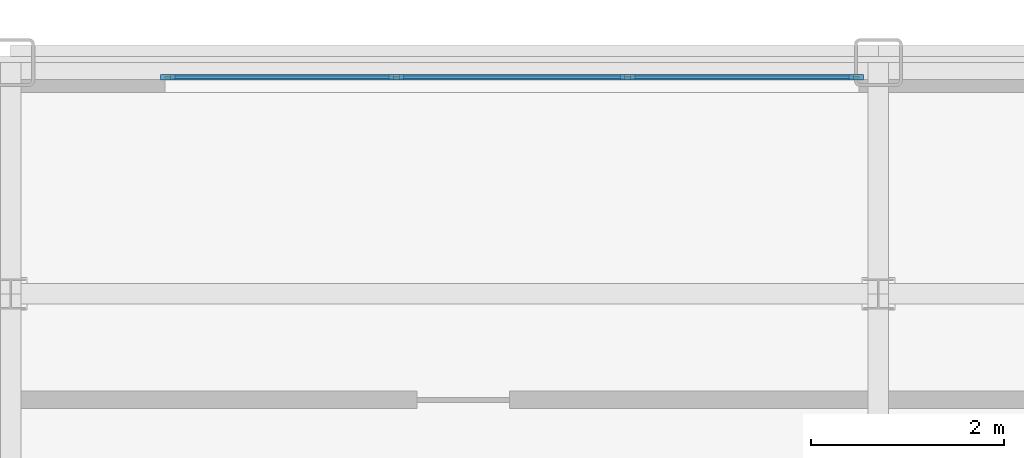
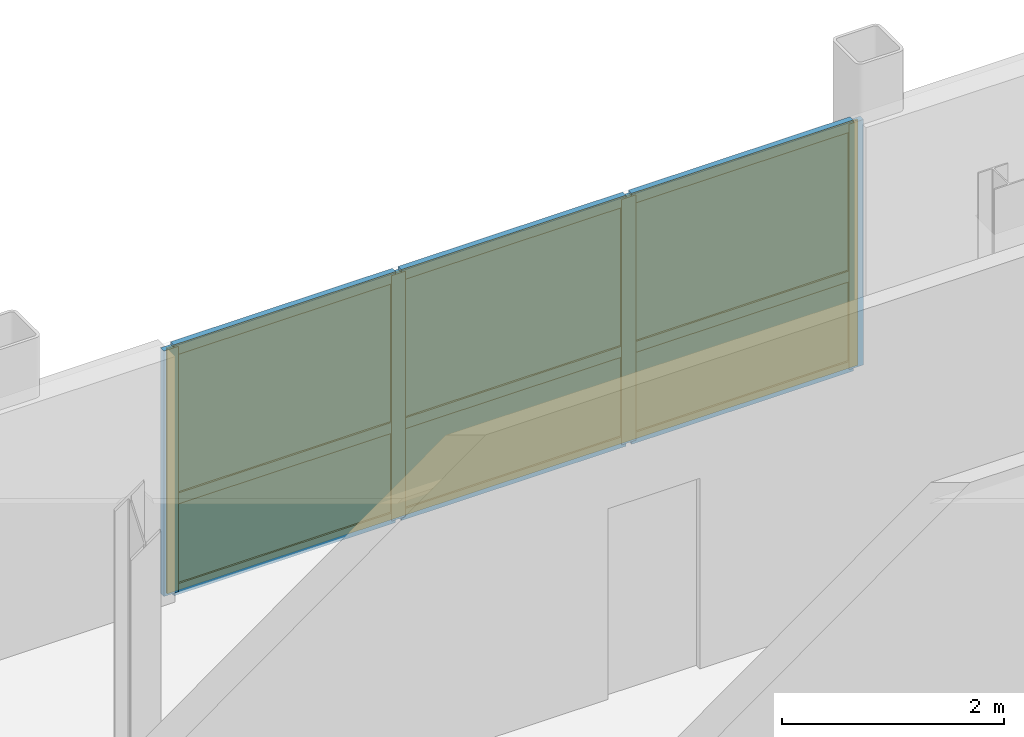
# One storey, part 11 of 16: 13 members, 6 plates, 1 curtain wall.
"""IFC4 building model written with IfcOpenShell, lengths in metres."""

from ifc_helpers import new_model, si_unit, direction, frame, frame_2d, origin, origin_2d, place, context, subcontext, project, spatial, rectangle, extrude, source, transform, mapped, material, layer, layer_set, material_profile, profile_set, type_object, type_shapes, element, aggregate, save


model = new_model("IFC4")

# Units and contexts
model_context = context("Model", 3, precision=1e-05, world=origin(), true_north=direction((0.0, 1.0)))
body_context = subcontext(model_context, "Body", "Model", "MODEL_VIEW")
ifc_project = project(units=[si_unit("LENGTHUNIT", "METRE"), si_unit("AREAUNIT", "SQUARE_METRE"), si_unit("VOLUMEUNIT", "CUBIC_METRE"), si_unit("PLANEANGLEUNIT", "RADIAN"), si_unit("MASSUNIT", "GRAM", prefix="KILO")], contexts=[model_context])

# Member
ifc_material_1 = material(Name="Anodised aluminium 6063-T6", Category="aluminium")
ifc_material_profile_1 = material_profile(ifc_material_1, rectangle(XDim=0.06005859375, YDim=0.14990234375, at=origin_2d()), Name="ALU-MULL-60x150")
ifc_profile_set_1 = profile_set([ifc_material_profile_1], Name="Anodised aluminium 6063-T6")
member_type_1 = type_object("IfcMemberType", Name="CWM-4", PredefinedType="MULLION", material=ifc_profile_set_1)
site_placement = place(None, origin())
building_placement = place(site_placement, origin())
storey_placement = place(building_placement, frame((0.0, 0.0, 209.14990234375)))
member_1_placement = place(storey_placement, frame((-7.3701171875, 19.2451171875, 0.0), z_axis=(0.0, 0.0, 1.0), x_axis=(0.0, 1.0, 0.0)))
member_1 = element("IfcMember", 1, at=member_1_placement, type_object=member_type_1, Name="CWS-4 mullion 1", PredefinedType="MULLION", context=body_context, shape_type="SweptSolid", body=[
    extrude(rectangle(XDim=0.06005859375, YDim=0.14990234375, at=origin_2d()), origin(), (0.0, 0.0, 1.0), 2.705078125),
])

member_2_placement = place(storey_placement, frame((-5.0, 19.2451171875, 0.0), z_axis=(0.0, 0.0, 1.0), x_axis=(0.0, 1.0, 0.0)))
member_2 = element("IfcMember", 2, at=member_2_placement, type_object=member_type_1, Name="CWS-4 mullion 2", PredefinedType="MULLION", context=body_context, shape_type="SweptSolid", body=[
    extrude(rectangle(XDim=0.06005859375, YDim=0.14990234375, at=origin_2d()), origin(), (0.0, 0.0, 1.0), 2.705078125),
])

member_3_placement = place(storey_placement, frame((-2.60009765625, 19.2451171875, 0.0), z_axis=(0.0, 0.0, 1.0), x_axis=(0.0, 1.0, 0.0)))
member_3 = element("IfcMember", 3, at=member_3_placement, type_object=member_type_1, Name="CWS-4 mullion 3", PredefinedType="MULLION", context=body_context, shape_type="SweptSolid", body=[
    extrude(rectangle(XDim=0.06005859375, YDim=0.14990234375, at=origin_2d()), origin(), (0.0, 0.0, 1.0), 2.705078125),
])

member_4_placement = place(storey_placement, frame((-0.22998046875, 19.2451171875, 0.0), z_axis=(0.0, 0.0, 1.0), x_axis=(0.0, 1.0, 0.0)))
member_4 = element("IfcMember", 4, at=member_4_placement, type_object=member_type_1, Name="CWS-4 mullion 4", PredefinedType="MULLION", context=body_context, shape_type="SweptSolid", body=[
    extrude(rectangle(XDim=0.06005859375, YDim=0.14990234375, at=origin_2d()), origin(), (0.0, 0.0, 1.0), 2.705078125),
])

ifc_material_profile_2 = material_profile(ifc_material_1, rectangle(XDim=0.06005859375, YDim=0.1201171875, at=origin_2d()), Name="ALU-TRAN-60x120")
ifc_profile_set_2 = profile_set([ifc_material_profile_2], Name="Anodised aluminium 6063-T6")
member_type_2 = type_object("IfcMemberType", Name="CWT-4", PredefinedType="USERDEFINED", material=ifc_profile_set_2)
member_5_placement = place(storey_placement, frame((-7.340087890625, 19.2451171875, 0.030029296875), z_axis=(1.0, 0.0, 0.0), x_axis=(0.0, 1.0, 0.0)))
member_5 = element("IfcMember", 5, at=member_5_placement, type_object=member_type_2, Name="CWS-4 transom 1.1", ObjectType="TRANSOM", PredefinedType="USERDEFINED", context=body_context, shape_type="SweptSolid", body=[
    extrude(rectangle(XDim=0.06005859375, YDim=0.1201171875, at=origin_2d()), origin(), (0.0, 0.0, 1.0), 2.31005859375),
])

member_6_placement = place(storey_placement, frame((-7.340087890625, 19.2451171875, 1.028076171875), z_axis=(1.0, 0.0, 0.0), x_axis=(0.0, 1.0, 0.0)))
member_6 = element("IfcMember", 6, at=member_6_placement, type_object=member_type_2, Name="CWS-4 transom 1.2", ObjectType="TRANSOM", PredefinedType="USERDEFINED", context=body_context, shape_type="SweptSolid", body=[
    extrude(rectangle(XDim=0.06005859375, YDim=0.1201171875, at=origin_2d()), origin(), (0.0, 0.0, 1.0), 2.31005859375),
])

member_7_placement = place(storey_placement, frame((-7.340087890625, 19.2451171875, 2.675048828125), z_axis=(1.0, 0.0, 0.0), x_axis=(0.0, 1.0, 0.0)))
member_7 = element("IfcMember", 7, at=member_7_placement, type_object=member_type_2, Name="CWS-4 transom 1.3", ObjectType="TRANSOM", PredefinedType="USERDEFINED", context=body_context, shape_type="SweptSolid", body=[
    extrude(rectangle(XDim=0.06005859375, YDim=0.1201171875, at=origin_2d()), origin(), (0.0, 0.0, 1.0), 2.31005859375),
])

member_8_placement = place(storey_placement, frame((-4.969970703125, 19.2451171875, 0.030029296875), z_axis=(1.0, 0.0, 0.0), x_axis=(0.0, 1.0, 0.0)))
member_8 = element("IfcMember", 8, at=member_8_placement, type_object=member_type_2, Name="CWS-4 transom 2.1", ObjectType="TRANSOM", PredefinedType="USERDEFINED", context=body_context, shape_type="SweptSolid", body=[
    extrude(rectangle(XDim=0.06005859375, YDim=0.1201171875, at=origin_2d()), origin(), (0.0, 0.0, 1.0), 2.340087890625),
])

member_9_placement = place(storey_placement, frame((-4.969970703125, 19.2451171875, 1.028076171875), z_axis=(1.0, 0.0, 0.0), x_axis=(0.0, 1.0, 0.0)))
member_9 = element("IfcMember", 9, at=member_9_placement, type_object=member_type_2, Name="CWS-4 transom 2.2", ObjectType="TRANSOM", PredefinedType="USERDEFINED", context=body_context, shape_type="SweptSolid", body=[
    extrude(rectangle(XDim=0.06005859375, YDim=0.1201171875, at=origin_2d()), origin(), (0.0, 0.0, 1.0), 2.340087890625),
])

member_10_placement = place(storey_placement, frame((-4.969970703125, 19.2451171875, 2.675048828125), z_axis=(1.0, 0.0, 0.0), x_axis=(0.0, 1.0, 0.0)))
member_10 = element("IfcMember", 10, at=member_10_placement, type_object=member_type_2, Name="CWS-4 transom 2.3", ObjectType="TRANSOM", PredefinedType="USERDEFINED", context=body_context, shape_type="SweptSolid", body=[
    extrude(rectangle(XDim=0.06005859375, YDim=0.1201171875, at=origin_2d()), origin(), (0.0, 0.0, 1.0), 2.340087890625),
])

member_11_placement = place(storey_placement, frame((-2.570068359375, 19.2451171875, 0.030029296875), z_axis=(1.0, 0.0, 0.0), x_axis=(0.0, 1.0, 0.0)))
member_11 = element("IfcMember", 11, at=member_11_placement, type_object=member_type_2, Name="CWS-4 transom 3.1", ObjectType="TRANSOM", PredefinedType="USERDEFINED", context=body_context, shape_type="SweptSolid", body=[
    extrude(rectangle(XDim=0.06005859375, YDim=0.1201171875, at=origin_2d()), origin(), (0.0, 0.0, 1.0), 2.31005859375),
])

member_12_placement = place(storey_placement, frame((-2.570068359375, 19.2451171875, 1.028076171875), z_axis=(1.0, 0.0, 0.0), x_axis=(0.0, 1.0, 0.0)))
member_12 = element("IfcMember", 12, at=member_12_placement, type_object=member_type_2, Name="CWS-4 transom 3.2", ObjectType="TRANSOM", PredefinedType="USERDEFINED", context=body_context, shape_type="SweptSolid", body=[
    extrude(rectangle(XDim=0.06005859375, YDim=0.1201171875, at=origin_2d()), origin(), (0.0, 0.0, 1.0), 2.31005859375),
])

member_13_placement = place(storey_placement, frame((-2.570068359375, 19.2451171875, 2.675048828125), z_axis=(1.0, 0.0, 0.0), x_axis=(0.0, 1.0, 0.0)))
member_13 = element("IfcMember", 13, at=member_13_placement, type_object=member_type_2, Name="CWS-4 transom 3.3", ObjectType="TRANSOM", PredefinedType="USERDEFINED", context=body_context, shape_type="SweptSolid", body=[
    extrude(rectangle(XDim=0.06005859375, YDim=0.1201171875, at=origin_2d()), origin(), (0.0, 0.0, 1.0), 2.31005859375),
])

# Plate
ifc_material_2 = material(Name="Insulated solar-control glass", Category="glass")
ifc_layer_1 = layer(ifc_material_2, 0.02587890625, Name="CWP-4")
ifc_layer_set_1 = layer_set([ifc_layer_1], Name="Insulated solar-control glass")
plate_type = type_object("IfcPlateType", Name="CWP-4", PredefinedType="CURTAIN_PANEL", material=ifc_layer_set_1)
shared_shape_1 = source(origin(), body_context, "Body", "SweptSolid", [
    extrude(rectangle(XDim=2.31005859375, YDim=0.02587890625, at=origin_2d()), origin(), (0.0, 0.0, 1.0), 0.93798828125),
])
plate_1_placement = place(storey_placement, frame((-6.18505859375, 19.2451171875, 0.06005859375), z_axis=(0.0, 0.0, 1.0), x_axis=(1.0, 0.0, 0.0)))
plate_1 = element("IfcPlate", 14, at=plate_1_placement, type_object=plate_type, Name="CWS-4 panel 1.1", PredefinedType="CURTAIN_PANEL", context=body_context, shape_type="MappedRepresentation", body=[
    mapped(shared_shape_1, transform((0.0, 0.0, 0.0), scale=1.0)),
])

plate_2_placement = place(storey_placement, frame((-1.4150390625, 19.2451171875, 0.06005859375), z_axis=(0.0, 0.0, 1.0), x_axis=(1.0, 0.0, 0.0)))
plate_2 = element("IfcPlate", 15, at=plate_2_placement, type_object=plate_type, Name="CWS-4 panel 3.1", PredefinedType="CURTAIN_PANEL", context=body_context, shape_type="MappedRepresentation", body=[
    mapped(shared_shape_1, transform((0.0, 0.0, 0.0), scale=1.0)),
])

shared_shape_2 = source(origin(), body_context, "Body", "SweptSolid", [
    extrude(rectangle(XDim=2.31005859375, YDim=0.02587890625, at=origin_2d()), origin(), (0.0, 0.0, 1.0), 1.587158203125),
])
plate_3_placement = place(storey_placement, frame((-6.18505859375, 19.2451171875, 1.05810546875), z_axis=(0.0, 0.0, 1.0), x_axis=(1.0, 0.0, 0.0)))
plate_3 = element("IfcPlate", 16, at=plate_3_placement, type_object=plate_type, Name="CWS-4 panel 1.2", PredefinedType="CURTAIN_PANEL", context=body_context, shape_type="MappedRepresentation", body=[
    mapped(shared_shape_2, transform((0.0, 0.0, 0.0), scale=1.0)),
])

plate_4_placement = place(storey_placement, frame((-1.4150390625, 19.2451171875, 1.05810546875), z_axis=(0.0, 0.0, 1.0), x_axis=(1.0, 0.0, 0.0)))
plate_4 = element("IfcPlate", 17, at=plate_4_placement, type_object=plate_type, Name="CWS-4 panel 3.2", PredefinedType="CURTAIN_PANEL", context=body_context, shape_type="MappedRepresentation", body=[
    mapped(shared_shape_2, transform((0.0, 0.0, 0.0), scale=1.0)),
])

shared_shape_3 = source(origin(), body_context, "Body", "SweptSolid", [
    extrude(rectangle(XDim=2.340087890625, YDim=0.02587890625, at=origin_2d()), origin(), (0.0, 0.0, 1.0), 0.93798828125),
])
plate_5_placement = place(storey_placement, frame((-3.800048828125, 19.2451171875, 0.06005859375), z_axis=(0.0, 0.0, 1.0), x_axis=(1.0, 0.0, 0.0)))
plate_5 = element("IfcPlate", 18, at=plate_5_placement, type_object=plate_type, Name="CWS-4 panel 2.1", PredefinedType="CURTAIN_PANEL", context=body_context, shape_type="MappedRepresentation", body=[
    mapped(shared_shape_3, transform((0.0, 0.0, 0.0), scale=1.0)),
])

shared_shape_4 = source(origin(), body_context, "Body", "SweptSolid", [
    extrude(rectangle(XDim=2.340087890625, YDim=0.02587890625, at=origin_2d()), origin(), (0.0, 0.0, 1.0), 1.587158203125),
])
type_shapes(plate_type, [shared_shape_1, shared_shape_2, shared_shape_3, shared_shape_4])
plate_6_placement = place(storey_placement, frame((-3.800048828125, 19.2451171875, 1.05810546875), z_axis=(0.0, 0.0, 1.0), x_axis=(1.0, 0.0, 0.0)))
plate_6 = element("IfcPlate", 19, at=plate_6_placement, type_object=plate_type, Name="CWS-4 panel 2.2", PredefinedType="CURTAIN_PANEL", context=body_context, shape_type="MappedRepresentation", body=[
    mapped(shared_shape_4, transform((0.0, 0.0, 0.0), scale=1.0)),
])

# Site, building, storey
site = spatial("IfcSite", under=ifc_project, at=site_placement, CompositionType="ELEMENT")
building = spatial("IfcBuilding", under=site, at=building_placement, Name="Nuvemarco Arch Tower", CompositionType="ELEMENT")
storey = spatial("IfcBuildingStorey", under=building, at=storey_placement, Name="L55", CompositionType="ELEMENT", Elevation=209.14990234375)

# Curtain wall
ifc_layer_2 = layer(ifc_material_2, 0.14990234375, Name="CW-SYS-4")
ifc_layer_set_2 = layer_set([ifc_layer_2], Name="Insulated solar-control glass")
curtain_wall_type = type_object("IfcCurtainWallType", Name="CW-SYS-4", PredefinedType="NOTDEFINED", material=ifc_layer_set_2)
curtain_wall_placement = place(storey_placement, frame((-7.39990234375, 19.2451171875, 0.0), z_axis=(0.0, 0.0, 1.0), x_axis=(1.0, 0.0, 0.0)))
curtain_wall = element("IfcCurtainWall", 20, at=curtain_wall_placement, inside=storey, type_object=curtain_wall_type, Name="L55 curtain wall CWS-4", PredefinedType="NOTDEFINED", context=body_context, shape_type="SweptSolid", body=[
    extrude(rectangle(XDim=7.199951171875, YDim=0.02001953125, at=frame_2d((3.60009765625, 0.0))), origin(), (0.0, 0.0, 1.0), 2.705078125),
])

aggregate(curtain_wall, [member_1, member_2, member_3, member_4, member_5, member_6, member_7, plate_1, plate_3, member_8, member_9, member_10, plate_5, plate_6, member_11, member_12, member_13, plate_2, plate_4])

save(model, "model.ifc")
